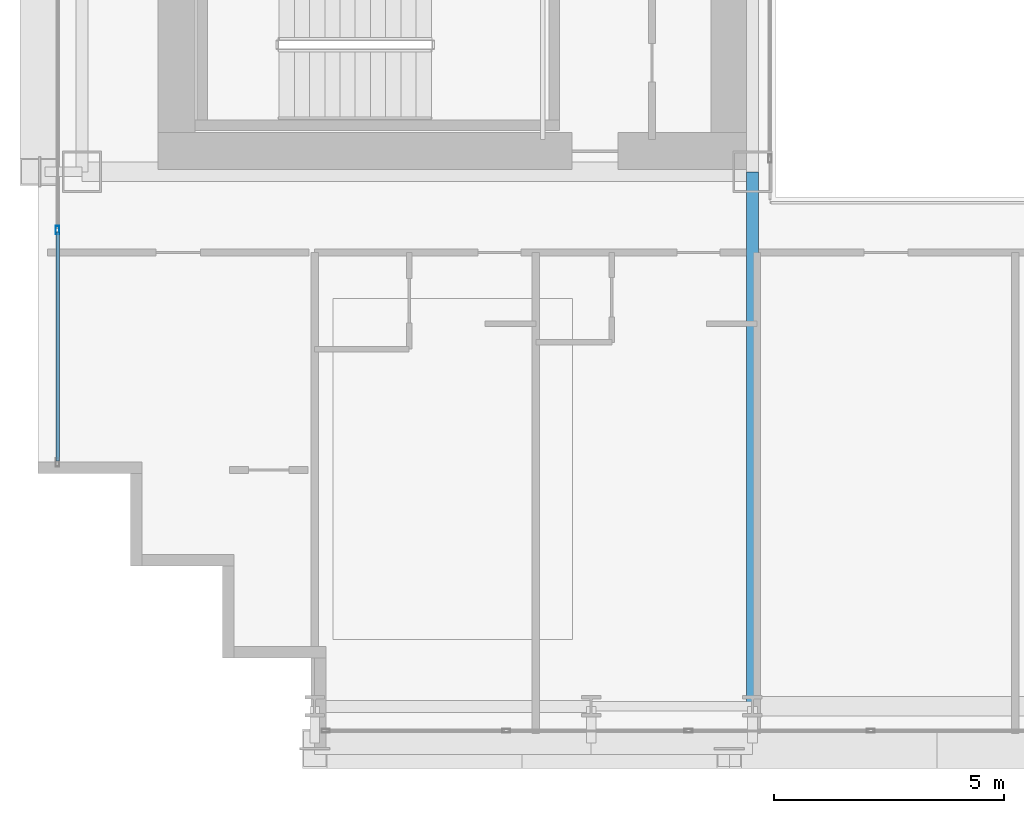
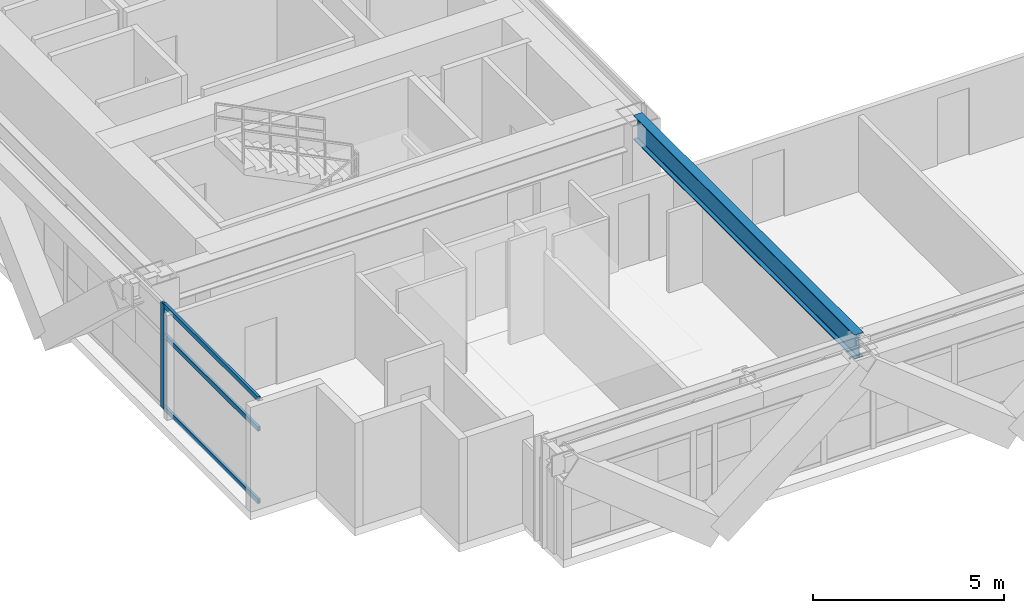
# One storey, part 3 of 41: 4 members, 1 beam, 1 element without a shape of its own.
"""IFC4 building model written with IfcOpenShell, lengths in metres."""

from ifc_helpers import new_model, si_unit, direction, frame, origin, origin_2d, place, context, subcontext, project, spatial, hollow_rectangle, i_section, extrude, source, transform, mapped, material, layer, layer_set, material_profile, profile_set, type_object, element, aggregate, save


model = new_model("IFC4")

# Units and contexts
model_context = context("Model", 3, precision=1e-05, world=origin(), true_north=direction((0.0, 1.0)))
body_context = subcontext(model_context, "Body", "Model", "MODEL_VIEW")
ifc_project = project(units=[si_unit("LENGTHUNIT", "METRE"), si_unit("AREAUNIT", "SQUARE_METRE"), si_unit("VOLUMEUNIT", "CUBIC_METRE"), si_unit("PLANEANGLEUNIT", "RADIAN"), si_unit("MASSUNIT", "GRAM", prefix="KILO")], contexts=[model_context])

# Site, building, storey
site_placement = place(None, origin())
site = spatial("IfcSite", under=ifc_project, at=site_placement, CompositionType="ELEMENT")
building_placement = place(site_placement, origin())
building = spatial("IfcBuilding", under=site, at=building_placement, Name="Ocotamira Hotel", CompositionType="ELEMENT")
storey_placement = place(building_placement, frame((0.0, 0.0, 67.199951171875)))
storey = spatial("IfcBuildingStorey", under=building, at=storey_placement, Name="L16", CompositionType="ELEMENT", Elevation=67.199951171875)

# Beam
ifc_material_1 = material(Name="Steel ASTM A992 Grade 50", Category="steel")
ifc_material_profile_1 = material_profile(ifc_material_1, i_section(OverallWidth=0.26611328125, OverallDepth=0.779052734375, WebThickness=0.0166015625, FlangeThickness=0.030029296875, FilletRadius=0.01806640625, at=origin_2d()), Name="W30X148")
ifc_profile_set_1 = profile_set([ifc_material_profile_1], Name="Steel ASTM A992 Grade 50")
beam_type = type_object("IfcBeamType", Name="BM-GIRD-W30X148", PredefinedType="BEAM", material=ifc_profile_set_1)
shared_shape_1 = source(origin(), body_context, "Body", "SweptSolid", [
    extrude(i_section(OverallWidth=0.26611328125, OverallDepth=0.779052734375, WebThickness=0.0166015625, FlangeThickness=0.030029296875, FilletRadius=0.01806640625, at=origin_2d()), origin(), (0.0, 0.0, 1.0), 11.60009765625),
])
beam_placement = place(storey_placement, frame((23.5, 2.949951171875, 2.96044921875), z_axis=(0.0, 1.0, 0.0), x_axis=(-1.0, 0.0, 0.0)))
element("IfcBeam", 1, at=beam_placement, inside=storey, type_object=beam_type, Name="L16 Beam X23.5 Y2.95-14.55", PredefinedType="BEAM", context=body_context, shape_type="MappedRepresentation", body=[
    mapped(shared_shape_1, transform((0.0, 0.0, 0.0), scale=1.0)),
])

# Curtain wall, members
ifc_material_2 = material(Name="Anodised pale-metal aluminium and solar glass", Category="aluminium")
ifc_layer = layer(ifc_material_2, 0.179931640625)
ifc_layer_set = layer_set([ifc_layer], Name="Anodised pale-metal aluminium and solar glass")
curtain_wall_type = type_object("IfcCurtainWallType", Name="CW-SYS2-Z1", PredefinedType="NOTDEFINED", material=ifc_layer_set)
curtain_wall_placement = place(storey_placement, origin())
curtain_wall = element("IfcCurtainWall", 2, at=curtain_wall_placement, inside=storey, type_object=curtain_wall_type, Name="L16 Curtain Wall CW-2 CW-L16-W", PredefinedType="NOTDEFINED")
ifc_material_3 = material(Name="Anodised pale-metal aluminium 6063-T6", Category="aluminium")
ifc_material_profile_2 = material_profile(ifc_material_3, hollow_rectangle(XDim=0.074951171875, YDim=0.14990234375, WallThickness=0.006103515625, at=origin_2d()), Name="HSS150X75X6")
ifc_profile_set_2 = profile_set([ifc_material_profile_2], Name="Anodised pale-metal aluminium 6063-T6")
member_type_1 = type_object("IfcMemberType", Name="CWT-150X75", PredefinedType="USERDEFINED", material=ifc_profile_set_2)
shared_shape_2 = source(origin(), body_context, "Body", "SweptSolid", [
    extrude(hollow_rectangle(XDim=0.074951171875, YDim=0.14990234375, WallThickness=0.006103515625, at=origin_2d()), origin(), (0.0, 0.0, 1.0), 4.965576171875),
])
member_1_placement = place(storey_placement, frame((8.419921875, 8.280029296875, 0.03759765625), z_axis=(0.0, 1.0, 0.0), x_axis=(-1.0, 0.0, 0.0)))
member_1 = element("IfcMember", 3, at=member_1_placement, type_object=member_type_1, Name="CW-2 transom 1.1", ObjectType="TRANSOM", PredefinedType="USERDEFINED", context=body_context, shape_type="MappedRepresentation", body=[
    mapped(shared_shape_2, transform((0.0, 0.0, 0.0), scale=1.0)),
])
member_2_placement = place(storey_placement, frame((8.419921875, 8.280029296875, 2.35009765625), z_axis=(0.0, 1.0, 0.0), x_axis=(-1.0, 0.0, 0.0)))
member_2 = element("IfcMember", 4, at=member_2_placement, type_object=member_type_1, Name="CW-2 transom 1.2", ObjectType="TRANSOM", PredefinedType="USERDEFINED", context=body_context, shape_type="MappedRepresentation", body=[
    mapped(shared_shape_2, transform((0.0, 0.0, 0.0), scale=1.0)),
])
member_3_placement = place(storey_placement, frame((8.419921875, 8.280029296875, 3.3125), z_axis=(0.0, 1.0, 0.0), x_axis=(-1.0, 0.0, 0.0)))
member_3 = element("IfcMember", 5, at=member_3_placement, type_object=member_type_1, Name="CW-2 transom 1.3", ObjectType="TRANSOM", PredefinedType="USERDEFINED", context=body_context, shape_type="MappedRepresentation", body=[
    mapped(shared_shape_2, transform((0.0, 0.0, 0.0), scale=1.0)),
])
ifc_material_profile_3 = material_profile(ifc_material_3, hollow_rectangle(XDim=0.080078125, YDim=0.179931640625, WallThickness=0.006103515625, at=origin_2d()), Name="HSS180X80X6")
ifc_profile_set_3 = profile_set([ifc_material_profile_3], Name="Anodised pale-metal aluminium 6063-T6")
member_type_2 = type_object("IfcMemberType", Name="CWM-180X75", PredefinedType="MULLION", material=ifc_profile_set_3)
shared_shape_3 = source(origin(), body_context, "Body", "SweptSolid", [
    extrude(hollow_rectangle(XDim=0.080078125, YDim=0.179931640625, WallThickness=0.006103515625, at=origin_2d()), origin(), (0.0, 0.0, 1.0), 3.35009765625),
])
member_4_placement = place(storey_placement, frame((8.419921875, 13.28564453125, 0.0), z_axis=(0.0, 0.0, 1.0), x_axis=(-1.0, 0.0, 0.0)))
member_4 = element("IfcMember", 6, at=member_4_placement, type_object=member_type_2, Name="CW-2 mullion 2", PredefinedType="MULLION", context=body_context, shape_type="MappedRepresentation", body=[
    mapped(shared_shape_3, transform((0.0, 0.0, 0.0), scale=1.0)),
])
aggregate(curtain_wall, [member_4, member_1, member_2, member_3])

save(model, "model.ifc")
